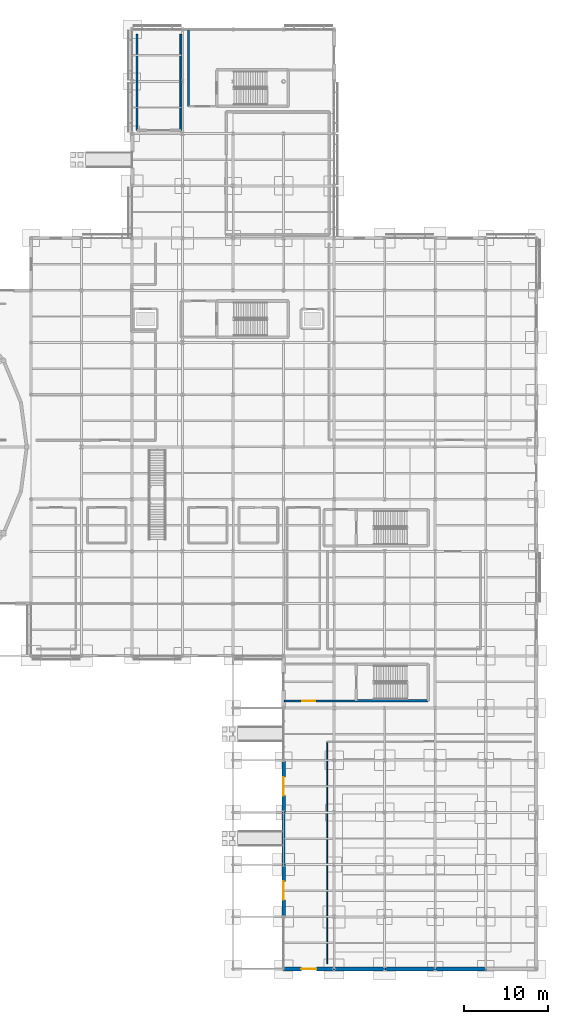
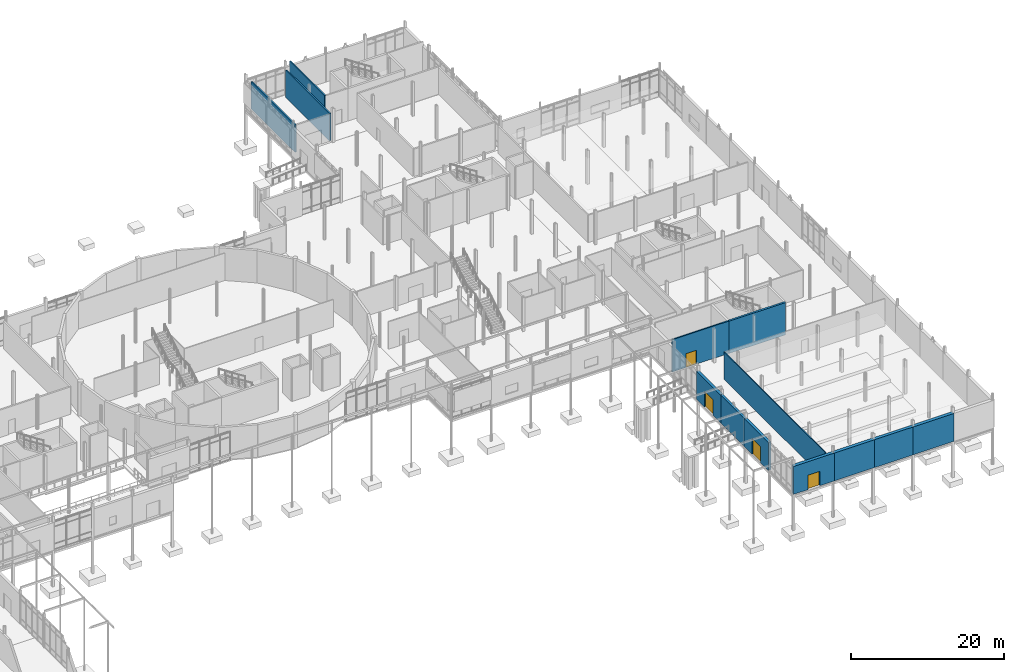
# One storey, part 72 of 98: 13 walls, 4 doors, 4 openings.
"""IFC4 building model written with IfcOpenShell, lengths in metres."""

from ifc_helpers import new_model, si_unit, direction, frame, frame_2d, origin, place, context, subcontext, project, spatial, rectangle, extrude, material, layer, layer_set, type_object, element, fill, save


model = new_model("IFC4")

# Units and contexts
model_context = context("Model", 3, precision=1e-05, world=origin(), true_north=direction((0.0, 1.0)))
body_context = subcontext(model_context, "Body", "Model", "MODEL_VIEW")
ifc_project = project(units=[si_unit("LENGTHUNIT", "METRE"), si_unit("AREAUNIT", "SQUARE_METRE"), si_unit("VOLUMEUNIT", "CUBIC_METRE"), si_unit("PLANEANGLEUNIT", "RADIAN"), si_unit("MASSUNIT", "GRAM", prefix="KILO")], contexts=[model_context])

# Site, building, storey
site_placement = place(None, origin())
site = spatial("IfcSite", under=ifc_project, at=site_placement, CompositionType="ELEMENT")
building_placement = place(site_placement, origin())
building = spatial("IfcBuilding", under=site, at=building_placement, Name="Mirzam Square Science Centre", CompositionType="ELEMENT")
storey_placement = place(building_placement, origin())
storey = spatial("IfcBuildingStorey", under=building, at=storey_placement, Name="L00", CompositionType="ELEMENT", Elevation=0.0)

# Wall
ifc_material_1 = material(Name="Concrete C45/55", Category="concrete")
ifc_layer_1 = layer(ifc_material_1, 0.300048828125)
ifc_layer_set_1 = layer_set([ifc_layer_1], Name="W-CORE-300")
wall_type_1 = type_object("IfcWallType", Name="W-CORE-300", PredefinedType="SHEAR", material=ifc_layer_set_1)
wall_1_placement = place(storey_placement, frame((140.639892578125, 31.840087890625, 0.0), z_axis=(0.0, 0.0, 1.0), x_axis=(1.0, 0.0, 0.0)))
element("IfcWall", 1, at=wall_1_placement, inside=storey, type_object=wall_type_1, Name="L00 CORE-6 south wall", PredefinedType="SHEAR", context=body_context, shape_type="SweptSolid", body=[
    extrude(rectangle(XDim=8.52001953125, YDim=0.300048828125, at=frame_2d((4.260009765625, 0.0))), origin(), (0.0, 0.0, 1.0), 5.14990234375),
])

# Wall, opening, door
ifc_material_2 = material(Name="Acoustic Ashlar Limestone Concrete C45/55", Category="masonry")
ifc_layer_2 = layer(ifc_material_2, 0.47998046875)
ifc_layer_set_2 = layer_set([ifc_layer_2], Name="W-EXT-ACOUST-480")
wall_type_2 = type_object("IfcWallType", Name="W-EXT-ACOUST-480", PredefinedType="SOLIDWALL", material=ifc_layer_set_2)
wall_2_placement = place(storey_placement, frame((131.925048828125, 0.0, 0.0), z_axis=(0.0, 0.0, 1.0), x_axis=(1.0, 0.0, 0.0)))
wall_2 = element("IfcWall", 2, at=wall_2_placement, inside=storey, type_object=wall_type_2, Name="L00 external wall EW-TH-S-L00-23", PredefinedType="SOLIDWALL", context=body_context, shape_type="SweptSolid", body=[
    extrude(rectangle(XDim=6.14990234375, YDim=0.47998046875, at=frame_2d((3.074951171875, 0.0))), origin(), (0.0, 0.0, 1.0), 4.43994140625),
])
opening_1_placement = place(wall_2_placement, frame((2.175048828125, 0.0, 0.0)))
opening_1 = element("IfcOpeningElement", 3, at=opening_1_placement, cuts=wall_2, Name="Opening ED-03", PredefinedType="OPENING", context=body_context, shape_type="SweptSolid", body=[
    extrude(rectangle(XDim=1.800048828125, YDim=2.300048828125, at=frame_2d((0.89990234375, 1.14990234375))), frame((0.0, 0.25, 0.0), z_axis=(0.0, -1.0, 0.0), x_axis=(1.0, 0.0, 0.0)), (0.0, 0.0, 1.0), 0.5),
])
ifc_material_3 = material(Name="Thermally Broken Bronze-Anodised Aluminium and Laminated Glass", Category="aluminium")
door_type_1 = type_object("IfcDoorType", Name="DR-EXT-1800x2300", OperationType="DOUBLE_DOOR_SINGLE_SWING", PredefinedType="DOOR", material=ifc_material_3)
door_1_placement = place(opening_1_placement, frame((1.800048828125, 0.0, 0.0), z_axis=(0.0, 0.0, 1.0), x_axis=(-1.0, 0.0, 0.0)))
door_1 = element("IfcDoor", 4, at=door_1_placement, inside=storey, type_object=door_type_1, Name="ED-L00-015", OperationType="DOUBLE_DOOR_SINGLE_SWING", OverallHeight=2.300048828125, OverallWidth=1.800048828125, PredefinedType="DOOR", context=body_context, shape_type="SweptSolid", body=[
    extrude(rectangle(XDim=1.800048828125, YDim=2.300048828125, at=frame_2d((0.89990234375, 1.14990234375))), frame((0.0, 0.02490234375, 0.0), z_axis=(0.0, -1.0, 0.0), x_axis=(1.0, 0.0, 0.0)), (0.0, 0.0, 1.0), 0.050048828125),
])
fill(opening_1, door_1)

# Walls
for number, where, z_axis, x_axis, name in (
    (5, (137.925048828125, 0.0, 0.0), (0.0, 0.0, 1.0), (1.0, 0.0, 0.0), "L00 external wall EW-TH-S-L00-24"),
    (6, (143.925048828125, 0.0, 0.0), (0.0, 0.0, 1.0), (1.0, 0.0, 0.0), "L00 external wall EW-TH-S-L00-25"),
    (7, (149.925048828125, 0.0, 0.0), (0.0, 0.0, 1.0), (1.0, 0.0, 0.0), "L00 external wall EW-TH-S-L00-26"),
):
    element("IfcWall", number, at=place(storey_placement, frame(where, z_axis=z_axis, x_axis=x_axis)), inside=storey, type_object=wall_type_2, Name=name, PredefinedType="SOLIDWALL", context=body_context, shape_type="SweptSolid", body=[
        extrude(rectangle(XDim=6.14990234375, YDim=0.47998046875, at=frame_2d((3.074951171875, 0.0))), origin(), (0.0, 0.0, 1.0), 4.43994140625),
    ])

# Wall, opening, door
ifc_material_4 = material(Name="Honed Qatari Limestone Concrete C40/50", Category="masonry")
ifc_layer_3 = layer(ifc_material_4, 0.39990234375)
ifc_layer_set_3 = layer_set([ifc_layer_3], Name="W-EXT-LIME-400")
wall_type_3 = type_object("IfcWallType", Name="W-EXT-LIME-400", PredefinedType="SOLIDWALL", material=ifc_layer_set_3)
wall_3_placement = place(storey_placement, frame((132.0, 12.47509765625, 0.0), z_axis=(0.0, 0.0, 1.0), x_axis=(0.0, -1.0, 0.0)))
wall_3 = element("IfcWall", 8, at=wall_3_placement, inside=storey, type_object=wall_type_3, Name="L00 external wall EW-TH-W-L00-02", PredefinedType="SOLIDWALL", context=body_context, shape_type="SweptSolid", body=[
    extrude(rectangle(XDim=6.35009765625, YDim=0.39990234375, at=frame_2d((3.175048828125, 0.0))), origin(), (0.0, 0.0, 1.0), 4.43994140625),
])
opening_2_placement = place(wall_3_placement, frame((2.074951171875, 0.0, 0.0)))
opening_2 = element("IfcOpeningElement", 9, at=opening_2_placement, cuts=wall_3, Name="Opening ED-04", PredefinedType="OPENING", context=body_context, shape_type="SweptSolid", body=[
    extrude(rectangle(XDim=2.199951171875, YDim=2.5, at=frame_2d((1.10009765625, 1.25))), frame((0.0, 0.2099609375, 0.0), z_axis=(0.0, -1.0, 0.0), x_axis=(1.0, 0.0, 0.0)), (0.0, 0.0, 1.0), 0.419921875),
])
door_type_2 = type_object("IfcDoorType", Name="DR-EXT-2200x2500", OperationType="DOUBLE_DOOR_SINGLE_SWING", PredefinedType="DOOR", material=ifc_material_3)
door_2_placement = place(opening_2_placement, frame((2.199951171875, 0.0, 0.0), z_axis=(0.0, 0.0, 1.0), x_axis=(-1.0, 0.0, 0.0)))
door_2 = element("IfcDoor", 10, at=door_2_placement, inside=storey, type_object=door_type_2, Name="ED-L00-016", OperationType="DOUBLE_DOOR_SINGLE_SWING", OverallHeight=2.5, OverallWidth=2.199951171875, PredefinedType="DOOR", context=body_context, shape_type="SweptSolid", body=[
    extrude(rectangle(XDim=2.199951171875, YDim=2.5, at=frame_2d((1.10009765625, 1.25))), frame((0.0, 0.02490234375, 0.0), z_axis=(0.0, -1.0, 0.0), x_axis=(1.0, 0.0, 0.0)), (0.0, 0.0, 1.0), 0.050048828125),
])
fill(opening_2, door_2)

wall_4_placement = place(storey_placement, frame((132.0, 24.875, 0.0), z_axis=(0.0, 0.0, 1.0), x_axis=(0.0, -1.0, 0.0)))
wall_4 = element("IfcWall", 11, at=wall_4_placement, inside=storey, type_object=wall_type_3, Name="L00 external wall EW-TH-W-L00-04", PredefinedType="SOLIDWALL", context=body_context, shape_type="SweptSolid", body=[
    extrude(rectangle(XDim=6.35009765625, YDim=0.39990234375, at=frame_2d((3.175048828125, 0.0))), origin(), (0.0, 0.0, 1.0), 4.43994140625),
])
opening_3_placement = place(wall_4_placement, frame((2.074951171875, 0.0, 0.0)))
opening_3 = element("IfcOpeningElement", 12, at=opening_3_placement, cuts=wall_4, Name="Opening ED-04", PredefinedType="OPENING", context=body_context, shape_type="SweptSolid", body=[
    extrude(rectangle(XDim=2.199951171875, YDim=2.5, at=frame_2d((1.10009765625, 1.25))), frame((0.0, 0.2099609375, 0.0), z_axis=(0.0, -1.0, 0.0), x_axis=(1.0, 0.0, 0.0)), (0.0, 0.0, 1.0), 0.419921875),
])
door_3_placement = place(opening_3_placement, frame((2.199951171875, 0.0, 0.0), z_axis=(0.0, 0.0, 1.0), x_axis=(-1.0, 0.0, 0.0)))
door_3 = element("IfcDoor", 13, at=door_3_placement, inside=storey, type_object=door_type_2, Name="ED-L00-017", OperationType="DOUBLE_DOOR_SINGLE_SWING", OverallHeight=2.5, OverallWidth=2.199951171875, PredefinedType="DOOR", context=body_context, shape_type="SweptSolid", body=[
    extrude(rectangle(XDim=2.199951171875, YDim=2.5, at=frame_2d((1.10009765625, 1.25))), frame((0.0, 0.02490234375, 0.0), z_axis=(0.0, -1.0, 0.0), x_axis=(1.0, 0.0, 0.0)), (0.0, 0.0, 1.0), 0.050048828125),
])
fill(opening_3, door_3)

# Wall
ifc_material_5 = material(Name="Standing-Seam Zinc-Clad Concrete Backup C40/50", Category="concrete")
ifc_layer_4 = layer(ifc_material_5, 0.35009765625)
ifc_layer_set_4 = layer_set([ifc_layer_4], Name="W-EXT-METAL-350")
wall_type_4 = type_object("IfcWallType", Name="W-EXT-METAL-350", PredefinedType="SOLIDWALL", material=ifc_layer_set_4)
wall_5_placement = place(storey_placement, frame((132.0, 18.675048828125, 0.0), z_axis=(0.0, 0.0, 1.0), x_axis=(0.0, -1.0, 0.0)))
element("IfcWall", 14, at=wall_5_placement, inside=storey, type_object=wall_type_4, Name="L00 external wall EW-TH-W-L00-03", PredefinedType="SOLIDWALL", context=body_context, shape_type="SweptSolid", body=[
    extrude(rectangle(XDim=6.35009765625, YDim=0.35009765625, at=frame_2d((3.175048828125, 0.0))), origin(), (0.0, 0.0, 1.0), 4.43994140625),
])

# Wall, opening, door
ifc_layer_5 = layer(ifc_material_1, 0.199951171875)
ifc_layer_set_5 = layer_set([ifc_layer_5], Name="W-LOBBY-200")
wall_type_5 = type_object("IfcWallType", Name="W-LOBBY-200", PredefinedType="SHEAR", material=ifc_layer_set_5)
wall_6_placement = place(storey_placement, frame((132.10009765625, 31.840087890625, 0.0), z_axis=(0.0, 0.0, 1.0), x_axis=(1.0, 0.0, 0.0)))
wall_6 = element("IfcWall", 15, at=wall_6_placement, inside=storey, type_object=wall_type_5, Name="L00 CORE-6 lobby south wall", PredefinedType="SHEAR", context=body_context, shape_type="SweptSolid", body=[
    extrude(rectangle(XDim=8.539794921875, YDim=0.199951171875, at=frame_2d((4.27001953125, 0.0))), origin(), (0.0, 0.0, 1.0), 5.14990234375),
])
opening_4_placement = place(wall_6_placement, frame((2.125, 0.0, 0.0)))
opening_4 = element("IfcOpeningElement", 16, at=opening_4_placement, cuts=wall_6, Name="Opening DL-01", PredefinedType="OPENING", context=body_context, shape_type="SweptSolid", body=[
    extrude(rectangle(XDim=1.550048828125, YDim=2.199951171875, at=frame_2d((0.77490234375, 1.10009765625))), frame((0.0, 0.10986328125, 0.0), z_axis=(0.0, -1.0, 0.0), x_axis=(1.0, 0.0, 0.0)), (0.0, 0.0, 1.0), 0.219970703125),
])
ifc_material_6 = material(Name="Fire-Rated Glazed Architectural Steel Lobby Door", Category="steel")
door_type_3 = type_object("IfcDoorType", Name="DR-LOBBY-1550x2200", OperationType="DOUBLE_DOOR_SINGLE_SWING", PredefinedType="DOOR", material=ifc_material_6)
door_4_placement = place(opening_4_placement, origin())
door_4 = element("IfcDoor", 17, at=door_4_placement, inside=storey, type_object=door_type_3, Name="DRL-6-L00", OperationType="SINGLE_SWING_LEFT", OverallHeight=2.199951171875, OverallWidth=1.550048828125, PredefinedType="DOOR", context=body_context, shape_type="SweptSolid", body=[
    extrude(rectangle(XDim=1.550048828125, YDim=2.199951171875, at=frame_2d((0.77490234375, 1.10009765625))), frame((0.0, 0.02490234375, 0.0), z_axis=(0.0, -1.0, 0.0), x_axis=(1.0, 0.0, 0.0)), (0.0, 0.0, 1.0), 0.050048828125),
])
fill(opening_4, door_4)

# Walls
wall_7_placement = place(storey_placement, frame((120.699951171875, 111.550048828125, 0.0), z_axis=(0.0, 0.0, 1.0), x_axis=(0.0, -1.0, 0.0)))
element("IfcWall", 18, at=wall_7_placement, inside=storey, type_object=wall_type_5, Name="L00 CORE-7 exit passage west wall", PredefinedType="SHEAR", context=body_context, shape_type="SweptSolid", body=[
    extrude(rectangle(XDim=9.110107421875, YDim=0.199951171875, at=frame_2d((4.55517578125, 0.0))), origin(), (0.0, 0.0, 1.0), 5.14990234375),
])
ifc_material_7 = material(Name="Acoustic Gypsum Stud Partition", Category="gypsum")
ifc_layer_6 = layer(ifc_material_7, 0.1201171875)
ifc_layer_set_6 = layer_set([ifc_layer_6], Name="W-PART-120")
wall_type_6 = type_object("IfcWallType", Name="W-PART-120", PredefinedType="PARTITIONING", material=ifc_layer_set_6)
wall_8_placement = place(storey_placement, frame((137.199951171875, 0.60009765625, 0.0), z_axis=(0.0, 0.0, 1.0), x_axis=(0.0, 1.0, 0.0)))
element("IfcWall", 19, at=wall_8_placement, inside=storey, type_object=wall_type_6, Name="L00 Large-Format Theatre Auditorium and Stage partition 101", PredefinedType="PARTITIONING", context=body_context, shape_type="SweptSolid", body=[
    extrude(rectangle(XDim=26.39990234375, YDim=0.1201171875, at=frame_2d((13.199951171875, 0.0))), origin(), (0.0, 0.0, 1.0), 4.35009765625),
])
ifc_material_8 = material(Name="Chemical Prep Fire Partition Concrete C30/37", Category="concrete")
ifc_layer_7 = layer(ifc_material_8, 0.215087890625)
ifc_layer_set_7 = layer_set([ifc_layer_7], Name="W-PART-215")
wall_type_7 = type_object("IfcWallType", Name="W-PART-215", PredefinedType="PARTITIONING", material=ifc_layer_set_7)
for number, where, z_axis, x_axis, name in (
    (20, (119.800048828125, 111.0, 0.0), (0.0, 0.0, 1.0), (0.0, -1.0, 0.0), "L00 Public Science Community Room 1 partition 88"),
    (21, (114.60009765625, 99.60009765625, 0.0), (0.0, 0.0, 1.0), (0.0, 1.0, 0.0), "L00 Public Science Community Room 1 partition 90"),
):
    element("IfcWall", number, at=place(storey_placement, frame(where, z_axis=z_axis, x_axis=x_axis)), inside=storey, type_object=wall_type_7, Name=name, PredefinedType="PARTITIONING", context=body_context, shape_type="SweptSolid", body=[
        extrude(rectangle(XDim=11.39990234375, YDim=0.215087890625, at=frame_2d((5.699951171875, 0.0))), origin(), (0.0, 0.0, 1.0), 4.35009765625),
    ])

save(model, "model.ifc")
